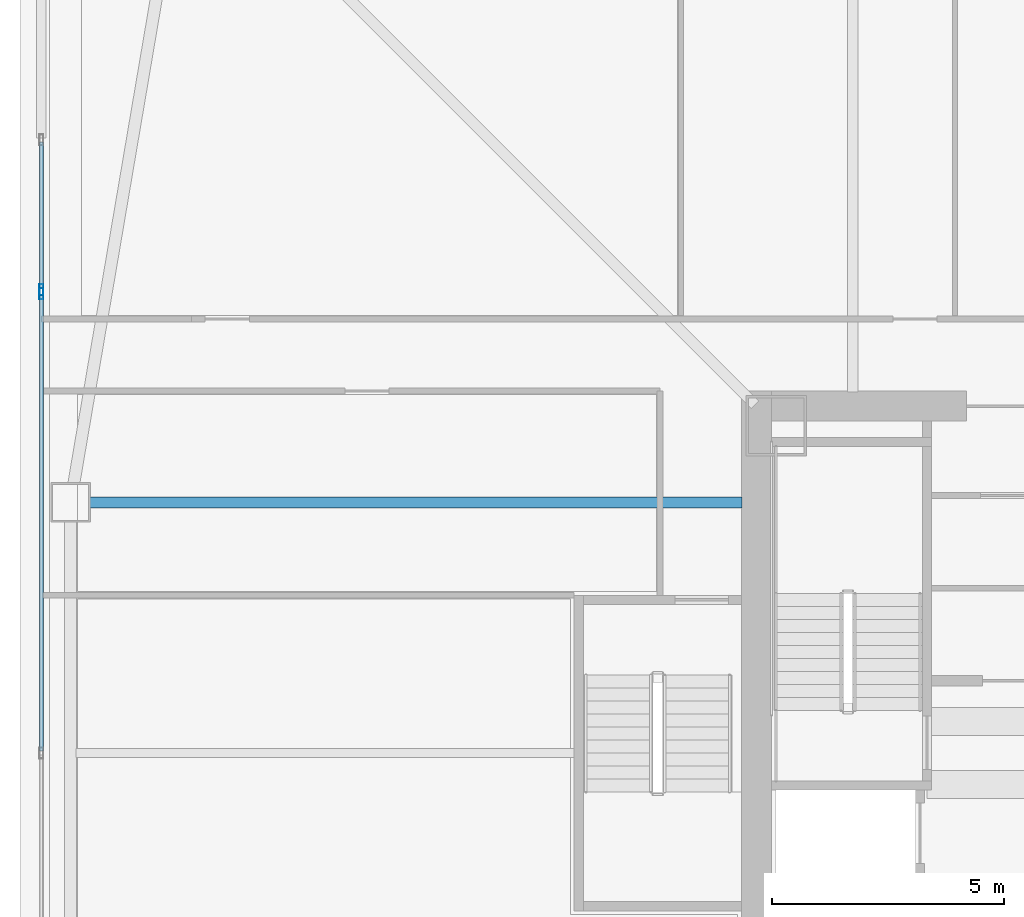
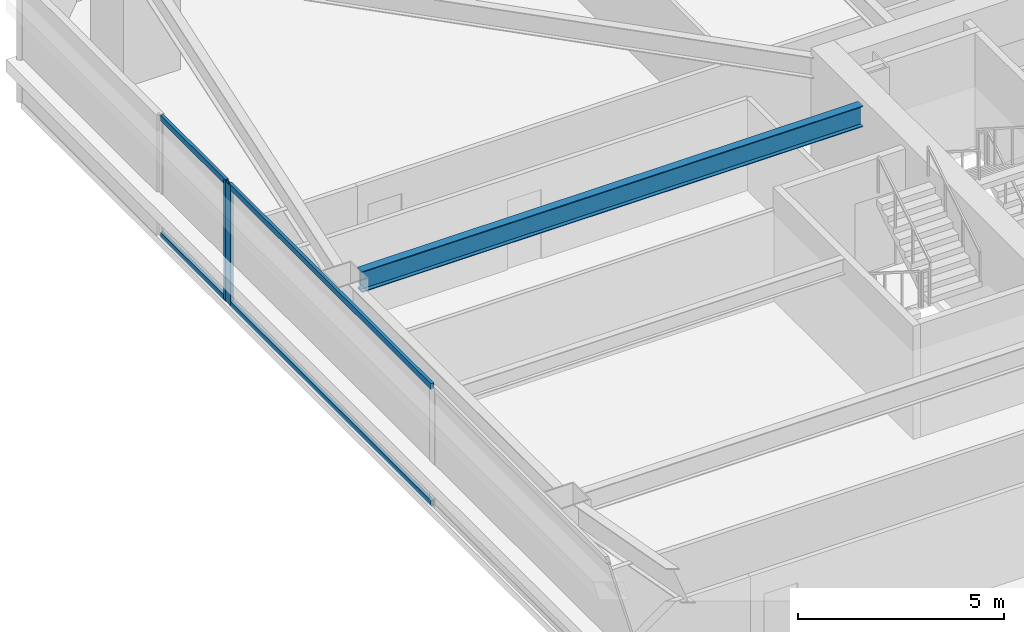
# One storey, part 12 of 48: 6 members, 1 beam, 2 elements without a shape of their own.
"""IFC4 building model written with IfcOpenShell, lengths in metres."""

from ifc_helpers import new_model, si_unit, direction, frame, origin, origin_2d, place, context, subcontext, project, spatial, hollow_rectangle, i_section, extrude, material, material_profile, profile_set, type_object, element, aggregate, save


model = new_model("IFC4")

# Units and contexts
model_context = context("Model", 3, precision=1e-05, world=origin(), true_north=direction((0.0, 1.0)))
body_context = subcontext(model_context, "Body", "Model", "MODEL_VIEW")
ifc_project = project(units=[si_unit("LENGTHUNIT", "METRE"), si_unit("AREAUNIT", "SQUARE_METRE"), si_unit("VOLUMEUNIT", "CUBIC_METRE"), si_unit("PLANEANGLEUNIT", "RADIAN"), si_unit("MASSUNIT", "GRAM", prefix="KILO")], contexts=[model_context])

# Site, building, storey
site_placement = place(None, origin())
site = spatial("IfcSite", under=ifc_project, at=site_placement, CompositionType="ELEMENT")
building_placement = place(site_placement, origin())
building = spatial("IfcBuilding", under=site, at=building_placement, Name="Tashvorn Skyway Center", CompositionType="ELEMENT")
storey_placement = place(building_placement, frame((0.0, 0.0, 56.550048828125)))
storey = spatial("IfcBuildingStorey", under=building, at=storey_placement, Name="L14", CompositionType="ELEMENT", Elevation=56.550048828125)

# Beam
ifc_material_1 = material(Name="Steel ASTM A992 Grade 50", Category="steel")
ifc_material_profile_1 = material_profile(ifc_material_1, i_section(OverallWidth=0.22998046875, OverallDepth=0.616943359375, WebThickness=0.01318359375, FlangeThickness=0.022216796875, at=origin_2d()), Name="W24X94")
ifc_profile_set_1 = profile_set([ifc_material_profile_1], Name="Steel ASTM A992 Grade 50")
beam_type = type_object("IfcBeamType", Name="BM-BEAM-W24X94", PredefinedType="BEAM", material=ifc_profile_set_1)
beam_placement = place(storey_placement, frame((20.169921875, 37.39990234375, 3.04150390625), z_axis=(1.0, 0.0, 0.0), x_axis=(0.0, 1.0, 0.0)))
element("IfcBeam", 1, at=beam_placement, inside=storey, type_object=beam_type, Name="Tower 1 L14 Primary Floor Girder FC-W1", PredefinedType="BEAM", context=body_context, shape_type="SweptSolid", body=[
    extrude(i_section(OverallWidth=0.22998046875, OverallDepth=0.616943359375, WebThickness=0.01318359375, FlangeThickness=0.022216796875, at=origin_2d()), origin(), (0.0, 0.0, 1.0), 14.050048828125),
])

# Curtain wall, member
ifc_material_2 = material(Name="Thermally broken bronze-anodized aluminium 6063-T6", Category="aluminium")
curtain_wall_type = type_object("IfcCurtainWallType", Name="CW-CW-Z1", PredefinedType="NOTDEFINED", material=ifc_material_2)
curtain_wall_1_placement = place(storey_placement, origin())
curtain_wall_1 = element("IfcCurtainWall", 2, at=curtain_wall_1_placement, inside=storey, type_object=curtain_wall_type, Name="Tower 1 L14 West Unitised Curtain Wall Glazing Group 2", PredefinedType="NOTDEFINED")
ifc_material_profile_2 = material_profile(ifc_material_2, hollow_rectangle(XDim=0.0849609375, YDim=0.239990234375, WallThickness=0.0048828125, at=origin_2d()), Name="ALU-MULL-85x240")
ifc_profile_set_2 = profile_set([ifc_material_profile_2], Name="Thermally broken bronze-anodized aluminium 6063-T6")
member_type_1 = type_object("IfcMemberType", Name="CWM-CW-Z1", PredefinedType="MULLION", material=ifc_profile_set_2)
member_1_placement = place(storey_placement, frame((19.1201171875, 41.8974609375, 0.0), z_axis=(0.0, 0.0, 1.0), x_axis=(-1.0, 0.0, 0.0)))
member_1 = element("IfcMember", 3, at=member_1_placement, type_object=member_type_1, Name="CW-Z1 mullion 3", PredefinedType="MULLION", context=body_context, shape_type="SweptSolid", body=[
    extrude(hollow_rectangle(XDim=0.0849609375, YDim=0.239990234375, WallThickness=0.0048828125, at=origin_2d()), origin(), (0.0, 0.0, 1.0), 3.550048828125),
])

curtain_wall_2_placement = place(storey_placement, origin())
curtain_wall_2 = element("IfcCurtainWall", 4, at=curtain_wall_2_placement, inside=storey, type_object=curtain_wall_type, Name="Tower 1 L14 West Unitised Curtain Wall Glazing Group 3", PredefinedType="NOTDEFINED")
member_2_placement = place(storey_placement, frame((19.1201171875, 41.982421875, 0.0), z_axis=(0.0, 0.0, 1.0), x_axis=(-1.0, 0.0, 0.0)))
member_2 = element("IfcMember", 5, at=member_2_placement, type_object=member_type_1, Name="CW-Z1 mullion 1", PredefinedType="MULLION", context=body_context, shape_type="SweptSolid", body=[
    extrude(hollow_rectangle(XDim=0.0849609375, YDim=0.239990234375, WallThickness=0.0048828125, at=origin_2d()), origin(), (0.0, 0.0, 1.0), 3.550048828125),
])

# Member
ifc_material_profile_3 = material_profile(ifc_material_2, hollow_rectangle(XDim=0.0849609375, YDim=0.1650390625, WallThickness=0.0048828125, at=origin_2d()), Name="ALU-TRAN-85x165")
ifc_profile_set_3 = profile_set([ifc_material_profile_3], Name="Thermally broken bronze-anodized aluminium 6063-T6")
member_type_2 = type_object("IfcMemberType", Name="CWT-CW-Z1", PredefinedType="USERDEFINED", material=ifc_profile_set_3)
member_3_placement = place(storey_placement, frame((19.1201171875, 32.04248046875, 0.04248046875), z_axis=(0.0, 1.0, 0.0), x_axis=(-1.0, 0.0, 0.0)))
member_3 = element("IfcMember", 6, at=member_3_placement, type_object=member_type_2, Name="CW-Z1 transom 2.1", ObjectType="TRANSOM", PredefinedType="USERDEFINED", context=body_context, shape_type="SweptSolid", body=[
    extrude(hollow_rectangle(XDim=0.0849609375, YDim=0.1650390625, WallThickness=0.0048828125, at=origin_2d()), origin(), (0.0, 0.0, 1.0), 9.8125),
])

member_4_placement = place(storey_placement, frame((19.1201171875, 32.04248046875, 3.507568359375), z_axis=(0.0, 1.0, 0.0), x_axis=(-1.0, 0.0, 0.0)))
member_4 = element("IfcMember", 7, at=member_4_placement, type_object=member_type_2, Name="CW-Z1 transom 2.2", ObjectType="TRANSOM", PredefinedType="USERDEFINED", context=body_context, shape_type="SweptSolid", body=[
    extrude(hollow_rectangle(XDim=0.0849609375, YDim=0.1650390625, WallThickness=0.0048828125, at=origin_2d()), origin(), (0.0, 0.0, 1.0), 9.8125),
])

aggregate(curtain_wall_1, [member_1, member_3, member_4])

member_5_placement = place(storey_placement, frame((19.1201171875, 42.02490234375, 0.04248046875), z_axis=(0.0, 1.0, 0.0), x_axis=(-1.0, 0.0, 0.0)))
member_5 = element("IfcMember", 8, at=member_5_placement, type_object=member_type_2, Name="CW-Z1 transom 1.1", ObjectType="TRANSOM", PredefinedType="USERDEFINED", context=body_context, shape_type="SweptSolid", body=[
    extrude(hollow_rectangle(XDim=0.0849609375, YDim=0.1650390625, WallThickness=0.0048828125, at=origin_2d()), origin(), (0.0, 0.0, 1.0), 3.143310546875),
])

member_6_placement = place(storey_placement, frame((19.1201171875, 42.02490234375, 3.507568359375), z_axis=(0.0, 1.0, 0.0), x_axis=(-1.0, 0.0, 0.0)))
member_6 = element("IfcMember", 9, at=member_6_placement, type_object=member_type_2, Name="CW-Z1 transom 1.2", ObjectType="TRANSOM", PredefinedType="USERDEFINED", context=body_context, shape_type="SweptSolid", body=[
    extrude(hollow_rectangle(XDim=0.0849609375, YDim=0.1650390625, WallThickness=0.0048828125, at=origin_2d()), origin(), (0.0, 0.0, 1.0), 3.143310546875),
])

aggregate(curtain_wall_2, [member_2, member_5, member_6])

save(model, "model.ifc")
